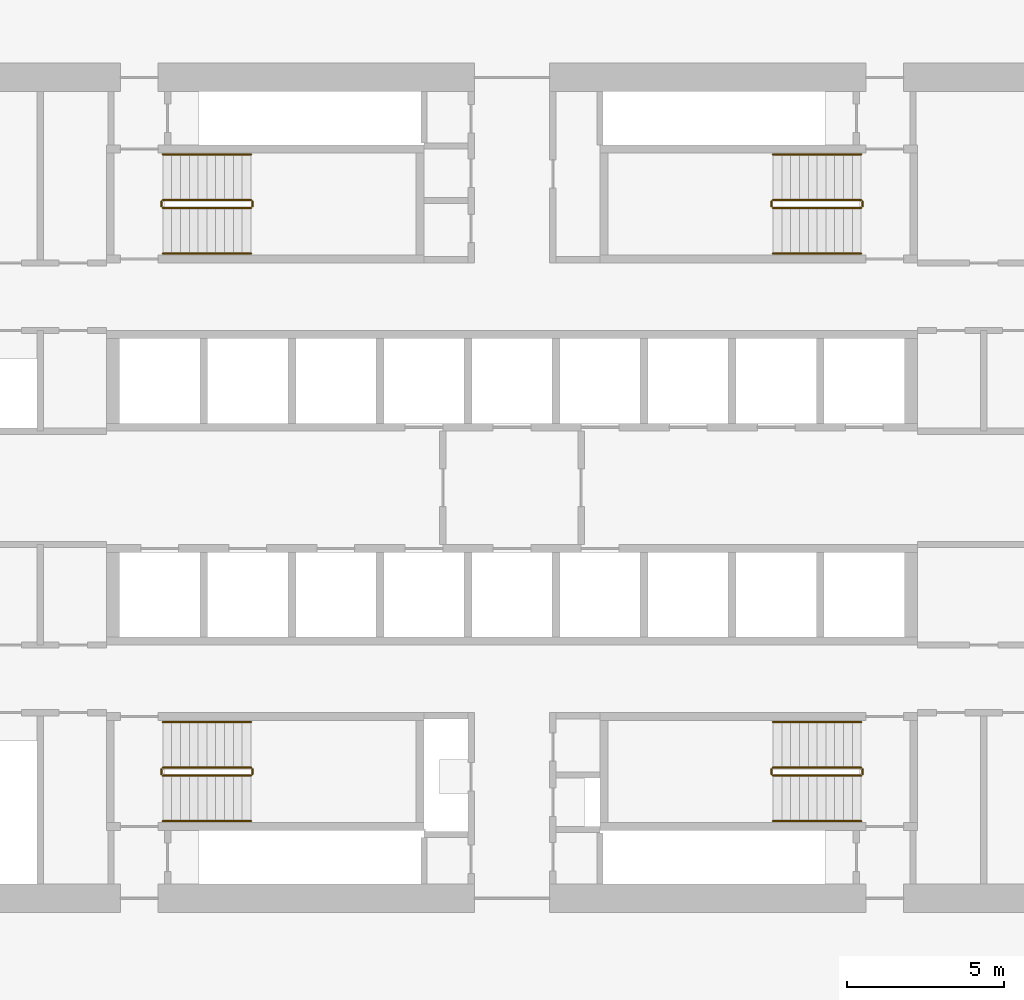
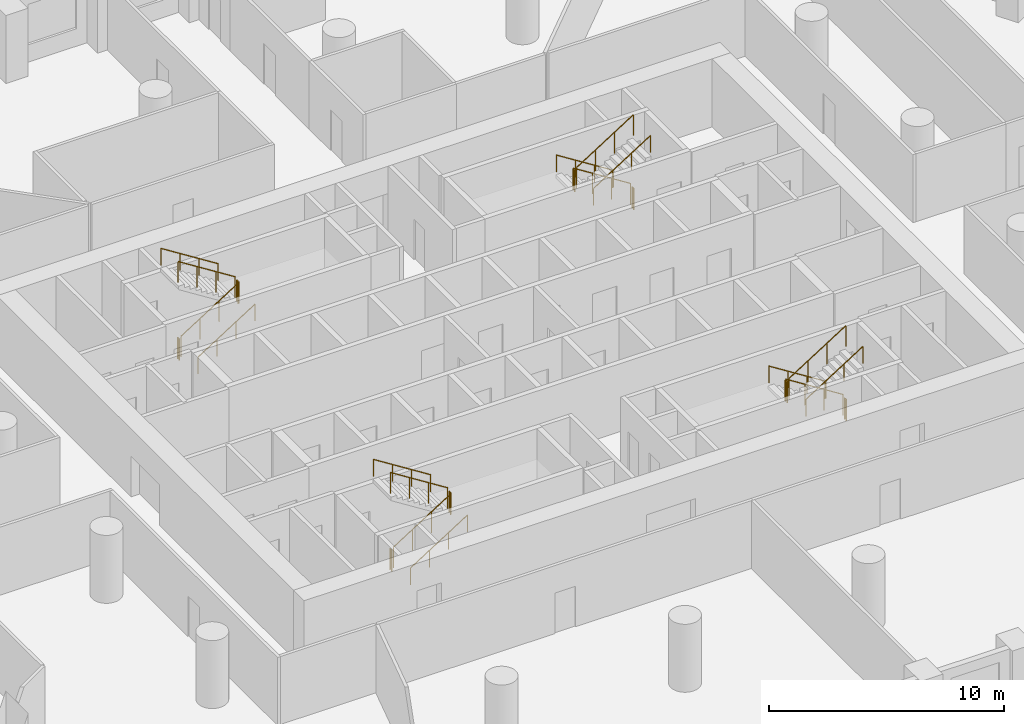
# One storey, part 10 of 10: 24 railings.
"""IFC4 building model written with IfcOpenShell, lengths in metres."""

from ifc_helpers import new_model, si_unit, direction, frame, origin, origin_2d, place, context, subcontext, project, spatial, circle, extrude, material, type_object, element, save


model = new_model("IFC4")

# Units and contexts
model_context = context("Model", 3, precision=1e-05, world=origin(), true_north=direction((0.0, 1.0)))
body_context = subcontext(model_context, "Body", "Model", "MODEL_VIEW")
ifc_project = project(units=[si_unit("LENGTHUNIT", "METRE"), si_unit("AREAUNIT", "SQUARE_METRE"), si_unit("VOLUMEUNIT", "CUBIC_METRE"), si_unit("PLANEANGLEUNIT", "RADIAN"), si_unit("MASSUNIT", "GRAM", prefix="KILO")], contexts=[model_context])

# Site, building, storey
site_placement = place(None, origin())
site = spatial("IfcSite", under=ifc_project, at=site_placement, CompositionType="ELEMENT")
building_placement = place(site_placement, origin())
building = spatial("IfcBuilding", under=site, at=building_placement, Name="Dhurran Vertical Campus", CompositionType="ELEMENT")
storey_placement = place(building_placement, frame((0.0, 0.0, 57.300048828125)))
storey = spatial("IfcBuildingStorey", under=building, at=storey_placement, Name="L13", CompositionType="ELEMENT", Elevation=57.300048828125)

# Railings
ifc_material_1 = material(Name="Stainless steel balustrade", Category="steel")
railing_type_1 = type_object("IfcRailingType", Name="co-RL-GUARD-1100", PredefinedType="GUARDRAIL", material=ifc_material_1)
railing_1_placement = place(storey_placement, frame((-11.10009765625, 8.89990234375, 0.17724609375)))
element("IfcRailing", 1, at=railing_1_placement, inside=storey, type_object=railing_type_1, Name="L13 ST1 stair guard 1", PredefinedType="GUARDRAIL", context=body_context, shape_type="SweptSolid", body=[
    extrude(circle(Radius=0.02392578125, at=origin_2d()), frame((0.0, 0.0, 1.076171875), z_axis=(0.844908973607, 0.0, 0.534910110503), x_axis=(0.0, 1.0, 0.0)), (0.0, 0.0, 1.0), 3.31396484375),
    extrude(circle(Radius=0.02099609375, at=origin_2d()), origin(), (0.0, 0.0, 1.0), 1.052001953125),
    extrude(circle(Radius=0.02099609375, at=origin_2d()), frame((0.933349609375, 0.0, 0.5908203125)), (0.0, 0.0, 1.0), 1.052001953125),
    extrude(circle(Radius=0.02099609375, at=origin_2d()), frame((1.86669921875, 0.0, 1.181884765625)), (0.0, 0.0, 1.0), 1.052001953125),
    extrude(circle(Radius=0.02099609375, at=origin_2d()), frame((2.800048828125, 0.0, 1.772705078125)), (0.0, 0.0, 1.0), 1.052001953125),
])
railing_2_placement = place(storey_placement, frame((-8.25, 8.949951171875, 1.949951171875)))
element("IfcRailing", 2, at=railing_2_placement, inside=storey, type_object=railing_type_1, Name="L13 ST1 stair guard 2", PredefinedType="GUARDRAIL", context=body_context, shape_type="SweptSolid", body=[
    extrude(circle(Radius=0.02392578125, at=origin_2d()), frame((0.0, 0.0, 1.076171875), z_axis=(0.0, 1.0, 0.0), x_axis=(-1.0, 0.0, 0.0)), (0.0, 0.0, 1.0), 0.150146484375),
    extrude(circle(Radius=0.02099609375, at=origin_2d()), origin(), (0.0, 0.0, 1.0), 1.052001953125),
    extrude(circle(Radius=0.02099609375, at=origin_2d()), frame((0.0, 0.150146484375, 0.0)), (0.0, 0.0, 1.0), 1.052001953125),
])
railing_3_placement = place(storey_placement, frame((-8.300048828125, 9.14990234375, 2.127197265625)))
element("IfcRailing", 3, at=railing_3_placement, inside=storey, type_object=railing_type_1, Name="L13 ST1 stair guard 3", PredefinedType="GUARDRAIL", context=body_context, shape_type="SweptSolid", body=[
    extrude(circle(Radius=0.02392578125, at=origin_2d()), frame((0.0, 0.0, 1.076171875), z_axis=(-0.844908973607, 0.0, 0.534910110503), x_axis=(0.0, -1.0, 0.0)), (0.0, 0.0, 1.0), 3.31396484375),
    extrude(circle(Radius=0.02099609375, at=origin_2d()), origin(), (0.0, 0.0, 1.0), 1.052001953125),
    extrude(circle(Radius=0.02099609375, at=origin_2d()), frame((-0.933349609375, 0.0, 0.5908203125)), (0.0, 0.0, 1.0), 1.052001953125),
    extrude(circle(Radius=0.02099609375, at=origin_2d()), frame((-1.86669921875, 0.0, 1.181884765625)), (0.0, 0.0, 1.0), 1.052001953125),
    extrude(circle(Radius=0.02099609375, at=origin_2d()), frame((-2.800048828125, 0.0, 1.772705078125)), (0.0, 0.0, 1.0), 1.052001953125),
])
railing_4_placement = place(storey_placement, frame((-11.14990234375, 8.949951171875, 0.0)))
element("IfcRailing", 4, at=railing_4_placement, inside=storey, type_object=railing_type_1, Name="L13 ST1 stair guard 4", PredefinedType="GUARDRAIL", context=body_context, shape_type="SweptSolid", body=[
    extrude(circle(Radius=0.02392578125, at=origin_2d()), frame((0.0, 0.0, 1.076171875), z_axis=(0.0, 1.0, 0.0), x_axis=(-1.0, 0.0, 0.0)), (0.0, 0.0, 1.0), 0.150146484375),
    extrude(circle(Radius=0.02099609375, at=origin_2d()), origin(), (0.0, 0.0, 1.0), 1.052001953125),
    extrude(circle(Radius=0.02099609375, at=origin_2d()), frame((0.0, 0.150146484375, 0.0)), (0.0, 0.0, 1.0), 1.052001953125),
])
railing_5_placement = place(storey_placement, frame((11.10009765625, 9.14990234375, 0.17724609375)))
element("IfcRailing", 5, at=railing_5_placement, inside=storey, type_object=railing_type_1, Name="L13 ST2 stair guard 1", PredefinedType="GUARDRAIL", context=body_context, shape_type="SweptSolid", body=[
    extrude(circle(Radius=0.02392578125, at=origin_2d()), frame((0.0, 0.0, 1.076171875), z_axis=(-0.844908973607, 0.0, 0.534910110503), x_axis=(0.0, -1.0, 0.0)), (0.0, 0.0, 1.0), 3.31396484375),
    extrude(circle(Radius=0.02099609375, at=origin_2d()), origin(), (0.0, 0.0, 1.0), 1.052001953125),
    extrude(circle(Radius=0.02099609375, at=origin_2d()), frame((-0.933349609375, 0.0, 0.5908203125)), (0.0, 0.0, 1.0), 1.052001953125),
    extrude(circle(Radius=0.02099609375, at=origin_2d()), frame((-1.86669921875, 0.0, 1.181884765625)), (0.0, 0.0, 1.0), 1.052001953125),
    extrude(circle(Radius=0.02099609375, at=origin_2d()), frame((-2.800048828125, 0.0, 1.772705078125)), (0.0, 0.0, 1.0), 1.052001953125),
])
railing_6_placement = place(storey_placement, frame((8.25, 9.10009765625, 1.949951171875)))
element("IfcRailing", 6, at=railing_6_placement, inside=storey, type_object=railing_type_1, Name="L13 ST2 stair guard 2", PredefinedType="GUARDRAIL", context=body_context, shape_type="SweptSolid", body=[
    extrude(circle(Radius=0.02392578125, at=origin_2d()), frame((0.0, 0.0, 1.076171875), z_axis=(0.0, -1.0, 0.0), x_axis=(1.0, 0.0, 0.0)), (0.0, 0.0, 1.0), 0.150146484375),
    extrude(circle(Radius=0.02099609375, at=origin_2d()), origin(), (0.0, 0.0, 1.0), 1.052001953125),
    extrude(circle(Radius=0.02099609375, at=origin_2d()), frame((0.0, -0.150146484375, 0.0)), (0.0, 0.0, 1.0), 1.052001953125),
])
railing_7_placement = place(storey_placement, frame((8.300048828125, 8.89990234375, 2.127197265625)))
element("IfcRailing", 7, at=railing_7_placement, inside=storey, type_object=railing_type_1, Name="L13 ST2 stair guard 3", PredefinedType="GUARDRAIL", context=body_context, shape_type="SweptSolid", body=[
    extrude(circle(Radius=0.02392578125, at=origin_2d()), frame((0.0, 0.0, 1.076171875), z_axis=(0.844908973607, 0.0, 0.534910110503), x_axis=(0.0, 1.0, 0.0)), (0.0, 0.0, 1.0), 3.31396484375),
    extrude(circle(Radius=0.02099609375, at=origin_2d()), origin(), (0.0, 0.0, 1.0), 1.052001953125),
    extrude(circle(Radius=0.02099609375, at=origin_2d()), frame((0.933349609375, 0.0, 0.5908203125)), (0.0, 0.0, 1.0), 1.052001953125),
    extrude(circle(Radius=0.02099609375, at=origin_2d()), frame((1.86669921875, 0.0, 1.181884765625)), (0.0, 0.0, 1.0), 1.052001953125),
    extrude(circle(Radius=0.02099609375, at=origin_2d()), frame((2.800048828125, 0.0, 1.772705078125)), (0.0, 0.0, 1.0), 1.052001953125),
])
railing_8_placement = place(storey_placement, frame((11.14990234375, 9.10009765625, 0.0)))
element("IfcRailing", 8, at=railing_8_placement, inside=storey, type_object=railing_type_1, Name="L13 ST2 stair guard 4", PredefinedType="GUARDRAIL", context=body_context, shape_type="SweptSolid", body=[
    extrude(circle(Radius=0.02392578125, at=origin_2d()), frame((0.0, 0.0, 1.076171875), z_axis=(0.0, -1.0, 0.0), x_axis=(1.0, 0.0, 0.0)), (0.0, 0.0, 1.0), 0.150146484375),
    extrude(circle(Radius=0.02099609375, at=origin_2d()), origin(), (0.0, 0.0, 1.0), 1.052001953125),
    extrude(circle(Radius=0.02099609375, at=origin_2d()), frame((0.0, -0.150146484375, 0.0)), (0.0, 0.0, 1.0), 1.052001953125),
])
railing_9_placement = place(storey_placement, frame((-11.10009765625, -9.14990234375, 0.17724609375)))
element("IfcRailing", 9, at=railing_9_placement, inside=storey, type_object=railing_type_1, Name="L13 ST3 stair guard 1", PredefinedType="GUARDRAIL", context=body_context, shape_type="SweptSolid", body=[
    extrude(circle(Radius=0.02392578125, at=origin_2d()), frame((0.0, 0.0, 1.076171875), z_axis=(0.844908973607, 0.0, 0.534910110503), x_axis=(0.0, 1.0, 0.0)), (0.0, 0.0, 1.0), 3.31396484375),
    extrude(circle(Radius=0.02099609375, at=origin_2d()), origin(), (0.0, 0.0, 1.0), 1.052001953125),
    extrude(circle(Radius=0.02099609375, at=origin_2d()), frame((0.933349609375, 0.0, 0.5908203125)), (0.0, 0.0, 1.0), 1.052001953125),
    extrude(circle(Radius=0.02099609375, at=origin_2d()), frame((1.86669921875, 0.0, 1.181884765625)), (0.0, 0.0, 1.0), 1.052001953125),
    extrude(circle(Radius=0.02099609375, at=origin_2d()), frame((2.800048828125, 0.0, 1.772705078125)), (0.0, 0.0, 1.0), 1.052001953125),
])
railing_10_placement = place(storey_placement, frame((-8.25, -9.10009765625, 1.949951171875)))
element("IfcRailing", 10, at=railing_10_placement, inside=storey, type_object=railing_type_1, Name="L13 ST3 stair guard 2", PredefinedType="GUARDRAIL", context=body_context, shape_type="SweptSolid", body=[
    extrude(circle(Radius=0.02392578125, at=origin_2d()), frame((0.0, 0.0, 1.076171875), z_axis=(0.0, 1.0, 0.0), x_axis=(-1.0, 0.0, 0.0)), (0.0, 0.0, 1.0), 0.150146484375),
    extrude(circle(Radius=0.02099609375, at=origin_2d()), origin(), (0.0, 0.0, 1.0), 1.052001953125),
    extrude(circle(Radius=0.02099609375, at=origin_2d()), frame((0.0, 0.150146484375, 0.0)), (0.0, 0.0, 1.0), 1.052001953125),
])
railing_11_placement = place(storey_placement, frame((-8.300048828125, -8.89990234375, 2.127197265625)))
element("IfcRailing", 11, at=railing_11_placement, inside=storey, type_object=railing_type_1, Name="L13 ST3 stair guard 3", PredefinedType="GUARDRAIL", context=body_context, shape_type="SweptSolid", body=[
    extrude(circle(Radius=0.02392578125, at=origin_2d()), frame((0.0, 0.0, 1.076171875), z_axis=(-0.844908973607, 0.0, 0.534910110503), x_axis=(0.0, -1.0, 0.0)), (0.0, 0.0, 1.0), 3.31396484375),
    extrude(circle(Radius=0.02099609375, at=origin_2d()), origin(), (0.0, 0.0, 1.0), 1.052001953125),
    extrude(circle(Radius=0.02099609375, at=origin_2d()), frame((-0.933349609375, 0.0, 0.5908203125)), (0.0, 0.0, 1.0), 1.052001953125),
    extrude(circle(Radius=0.02099609375, at=origin_2d()), frame((-1.86669921875, 0.0, 1.181884765625)), (0.0, 0.0, 1.0), 1.052001953125),
    extrude(circle(Radius=0.02099609375, at=origin_2d()), frame((-2.800048828125, 0.0, 1.772705078125)), (0.0, 0.0, 1.0), 1.052001953125),
])
railing_12_placement = place(storey_placement, frame((-11.14990234375, -9.10009765625, 0.0)))
element("IfcRailing", 12, at=railing_12_placement, inside=storey, type_object=railing_type_1, Name="L13 ST3 stair guard 4", PredefinedType="GUARDRAIL", context=body_context, shape_type="SweptSolid", body=[
    extrude(circle(Radius=0.02392578125, at=origin_2d()), frame((0.0, 0.0, 1.076171875), z_axis=(0.0, 1.0, 0.0), x_axis=(-1.0, 0.0, 0.0)), (0.0, 0.0, 1.0), 0.150146484375),
    extrude(circle(Radius=0.02099609375, at=origin_2d()), origin(), (0.0, 0.0, 1.0), 1.052001953125),
    extrude(circle(Radius=0.02099609375, at=origin_2d()), frame((0.0, 0.150146484375, 0.0)), (0.0, 0.0, 1.0), 1.052001953125),
])
railing_13_placement = place(storey_placement, frame((11.10009765625, -8.89990234375, 0.17724609375)))
element("IfcRailing", 13, at=railing_13_placement, inside=storey, type_object=railing_type_1, Name="L13 ST4 stair guard 1", PredefinedType="GUARDRAIL", context=body_context, shape_type="SweptSolid", body=[
    extrude(circle(Radius=0.02392578125, at=origin_2d()), frame((0.0, 0.0, 1.076171875), z_axis=(-0.844908973607, 0.0, 0.534910110503), x_axis=(0.0, -1.0, 0.0)), (0.0, 0.0, 1.0), 3.31396484375),
    extrude(circle(Radius=0.02099609375, at=origin_2d()), origin(), (0.0, 0.0, 1.0), 1.052001953125),
    extrude(circle(Radius=0.02099609375, at=origin_2d()), frame((-0.933349609375, 0.0, 0.5908203125)), (0.0, 0.0, 1.0), 1.052001953125),
    extrude(circle(Radius=0.02099609375, at=origin_2d()), frame((-1.86669921875, 0.0, 1.181884765625)), (0.0, 0.0, 1.0), 1.052001953125),
    extrude(circle(Radius=0.02099609375, at=origin_2d()), frame((-2.800048828125, 0.0, 1.772705078125)), (0.0, 0.0, 1.0), 1.052001953125),
])
railing_14_placement = place(storey_placement, frame((8.25, -8.949951171875, 1.949951171875)))
element("IfcRailing", 14, at=railing_14_placement, inside=storey, type_object=railing_type_1, Name="L13 ST4 stair guard 2", PredefinedType="GUARDRAIL", context=body_context, shape_type="SweptSolid", body=[
    extrude(circle(Radius=0.02392578125, at=origin_2d()), frame((0.0, 0.0, 1.076171875), z_axis=(0.0, -1.0, 0.0), x_axis=(1.0, 0.0, 0.0)), (0.0, 0.0, 1.0), 0.150146484375),
    extrude(circle(Radius=0.02099609375, at=origin_2d()), origin(), (0.0, 0.0, 1.0), 1.052001953125),
    extrude(circle(Radius=0.02099609375, at=origin_2d()), frame((0.0, -0.150146484375, 0.0)), (0.0, 0.0, 1.0), 1.052001953125),
])
railing_15_placement = place(storey_placement, frame((8.300048828125, -9.14990234375, 2.127197265625)))
element("IfcRailing", 15, at=railing_15_placement, inside=storey, type_object=railing_type_1, Name="L13 ST4 stair guard 3", PredefinedType="GUARDRAIL", context=body_context, shape_type="SweptSolid", body=[
    extrude(circle(Radius=0.02392578125, at=origin_2d()), frame((0.0, 0.0, 1.076171875), z_axis=(0.844908973607, 0.0, 0.534910110503), x_axis=(0.0, 1.0, 0.0)), (0.0, 0.0, 1.0), 3.31396484375),
    extrude(circle(Radius=0.02099609375, at=origin_2d()), origin(), (0.0, 0.0, 1.0), 1.052001953125),
    extrude(circle(Radius=0.02099609375, at=origin_2d()), frame((0.933349609375, 0.0, 0.5908203125)), (0.0, 0.0, 1.0), 1.052001953125),
    extrude(circle(Radius=0.02099609375, at=origin_2d()), frame((1.86669921875, 0.0, 1.181884765625)), (0.0, 0.0, 1.0), 1.052001953125),
    extrude(circle(Radius=0.02099609375, at=origin_2d()), frame((2.800048828125, 0.0, 1.772705078125)), (0.0, 0.0, 1.0), 1.052001953125),
])
railing_16_placement = place(storey_placement, frame((11.14990234375, -8.949951171875, 0.0)))
element("IfcRailing", 16, at=railing_16_placement, inside=storey, type_object=railing_type_1, Name="L13 ST4 stair guard 4", PredefinedType="GUARDRAIL", context=body_context, shape_type="SweptSolid", body=[
    extrude(circle(Radius=0.02392578125, at=origin_2d()), frame((0.0, 0.0, 1.076171875), z_axis=(0.0, -1.0, 0.0), x_axis=(1.0, 0.0, 0.0)), (0.0, 0.0, 1.0), 0.150146484375),
    extrude(circle(Radius=0.02099609375, at=origin_2d()), origin(), (0.0, 0.0, 1.0), 1.052001953125),
    extrude(circle(Radius=0.02099609375, at=origin_2d()), frame((0.0, -0.150146484375, 0.0)), (0.0, 0.0, 1.0), 1.052001953125),
])
ifc_material_2 = material(Name="Stainless steel handrail", Category="steel")
railing_type_2 = type_object("IfcRailingType", Name="co-RL-HANDRAIL-900", PredefinedType="HANDRAIL", material=ifc_material_2)
railing_17_placement = place(storey_placement, frame((-11.10009765625, 7.449951171875, 0.17724609375)))
element("IfcRailing", 17, at=railing_17_placement, inside=storey, type_object=railing_type_2, Name="L13 ST1 stair handrail 1", PredefinedType="HANDRAIL", context=body_context, shape_type="SweptSolid", body=[
    extrude(circle(Radius=0.02392578125, at=origin_2d()), frame((0.0, 0.0, 0.8759765625), z_axis=(0.844908973607, 0.0, 0.534910110503), x_axis=(0.0, 1.0, 0.0)), (0.0, 0.0, 1.0), 3.31396484375),
    extrude(circle(Radius=0.02099609375, at=origin_2d()), origin(), (0.0, 0.0, 1.0), 0.851806640625),
    extrude(circle(Radius=0.02099609375, at=origin_2d()), frame((0.933349609375, 0.0, 0.5908203125)), (0.0, 0.0, 1.0), 0.851806640625),
    extrude(circle(Radius=0.02099609375, at=origin_2d()), frame((1.86669921875, 0.0, 1.181884765625)), (0.0, 0.0, 1.0), 0.851806640625),
    extrude(circle(Radius=0.02099609375, at=origin_2d()), frame((2.800048828125, 0.0, 1.772705078125)), (0.0, 0.0, 1.0), 0.851806640625),
])
for number, where, name in (
    (18, (-8.300048828125, 10.60009765625, 2.127197265625), "L13 ST1 stair handrail 2"),
    (19, (11.10009765625, 10.60009765625, 0.17724609375), "L13 ST2 stair handrail 1"),
):
    element("IfcRailing", number, at=place(storey_placement, frame(where)), inside=storey, type_object=railing_type_2, Name=name, PredefinedType="HANDRAIL", context=body_context, shape_type="SweptSolid", body=[
        extrude(circle(Radius=0.02392578125, at=origin_2d()), frame((0.0, 0.0, 0.8759765625), z_axis=(-0.844908973607, 0.0, 0.534910110503), x_axis=(0.0, -1.0, 0.0)), (0.0, 0.0, 1.0), 3.31396484375),
        extrude(circle(Radius=0.02099609375, at=origin_2d()), origin(), (0.0, 0.0, 1.0), 0.851806640625),
        extrude(circle(Radius=0.02099609375, at=origin_2d()), frame((-0.933349609375, 0.0, 0.5908203125)), (0.0, 0.0, 1.0), 0.851806640625),
        extrude(circle(Radius=0.02099609375, at=origin_2d()), frame((-1.86669921875, 0.0, 1.181884765625)), (0.0, 0.0, 1.0), 0.851806640625),
        extrude(circle(Radius=0.02099609375, at=origin_2d()), frame((-2.800048828125, 0.0, 1.772705078125)), (0.0, 0.0, 1.0), 0.851806640625),
    ])
for number, where, name in (
    (20, (8.300048828125, 7.449951171875, 2.127197265625), "L13 ST2 stair handrail 2"),
    (21, (-11.10009765625, -10.60009765625, 0.17724609375), "L13 ST3 stair handrail 1"),
):
    element("IfcRailing", number, at=place(storey_placement, frame(where)), inside=storey, type_object=railing_type_2, Name=name, PredefinedType="HANDRAIL", context=body_context, shape_type="SweptSolid", body=[
        extrude(circle(Radius=0.02392578125, at=origin_2d()), frame((0.0, 0.0, 0.8759765625), z_axis=(0.844908973607, 0.0, 0.534910110503), x_axis=(0.0, 1.0, 0.0)), (0.0, 0.0, 1.0), 3.31396484375),
        extrude(circle(Radius=0.02099609375, at=origin_2d()), origin(), (0.0, 0.0, 1.0), 0.851806640625),
        extrude(circle(Radius=0.02099609375, at=origin_2d()), frame((0.933349609375, 0.0, 0.5908203125)), (0.0, 0.0, 1.0), 0.851806640625),
        extrude(circle(Radius=0.02099609375, at=origin_2d()), frame((1.86669921875, 0.0, 1.181884765625)), (0.0, 0.0, 1.0), 0.851806640625),
        extrude(circle(Radius=0.02099609375, at=origin_2d()), frame((2.800048828125, 0.0, 1.772705078125)), (0.0, 0.0, 1.0), 0.851806640625),
    ])
for number, where, name in (
    (22, (-8.300048828125, -7.449951171875, 2.127197265625), "L13 ST3 stair handrail 2"),
    (23, (11.10009765625, -7.449951171875, 0.17724609375), "L13 ST4 stair handrail 1"),
):
    element("IfcRailing", number, at=place(storey_placement, frame(where)), inside=storey, type_object=railing_type_2, Name=name, PredefinedType="HANDRAIL", context=body_context, shape_type="SweptSolid", body=[
        extrude(circle(Radius=0.02392578125, at=origin_2d()), frame((0.0, 0.0, 0.8759765625), z_axis=(-0.844908973607, 0.0, 0.534910110503), x_axis=(0.0, -1.0, 0.0)), (0.0, 0.0, 1.0), 3.31396484375),
        extrude(circle(Radius=0.02099609375, at=origin_2d()), origin(), (0.0, 0.0, 1.0), 0.851806640625),
        extrude(circle(Radius=0.02099609375, at=origin_2d()), frame((-0.933349609375, 0.0, 0.5908203125)), (0.0, 0.0, 1.0), 0.851806640625),
        extrude(circle(Radius=0.02099609375, at=origin_2d()), frame((-1.86669921875, 0.0, 1.181884765625)), (0.0, 0.0, 1.0), 0.851806640625),
        extrude(circle(Radius=0.02099609375, at=origin_2d()), frame((-2.800048828125, 0.0, 1.772705078125)), (0.0, 0.0, 1.0), 0.851806640625),
    ])
railing_18_placement = place(storey_placement, frame((8.300048828125, -10.60009765625, 2.127197265625)))
element("IfcRailing", 24, at=railing_18_placement, inside=storey, type_object=railing_type_2, Name="L13 ST4 stair handrail 2", PredefinedType="HANDRAIL", context=body_context, shape_type="SweptSolid", body=[
    extrude(circle(Radius=0.02392578125, at=origin_2d()), frame((0.0, 0.0, 0.8759765625), z_axis=(0.844908973607, 0.0, 0.534910110503), x_axis=(0.0, 1.0, 0.0)), (0.0, 0.0, 1.0), 3.31396484375),
    extrude(circle(Radius=0.02099609375, at=origin_2d()), origin(), (0.0, 0.0, 1.0), 0.851806640625),
    extrude(circle(Radius=0.02099609375, at=origin_2d()), frame((0.933349609375, 0.0, 0.5908203125)), (0.0, 0.0, 1.0), 0.851806640625),
    extrude(circle(Radius=0.02099609375, at=origin_2d()), frame((1.86669921875, 0.0, 1.181884765625)), (0.0, 0.0, 1.0), 0.851806640625),
    extrude(circle(Radius=0.02099609375, at=origin_2d()), frame((2.800048828125, 0.0, 1.772705078125)), (0.0, 0.0, 1.0), 0.851806640625),
])

save(model, "model.ifc")
